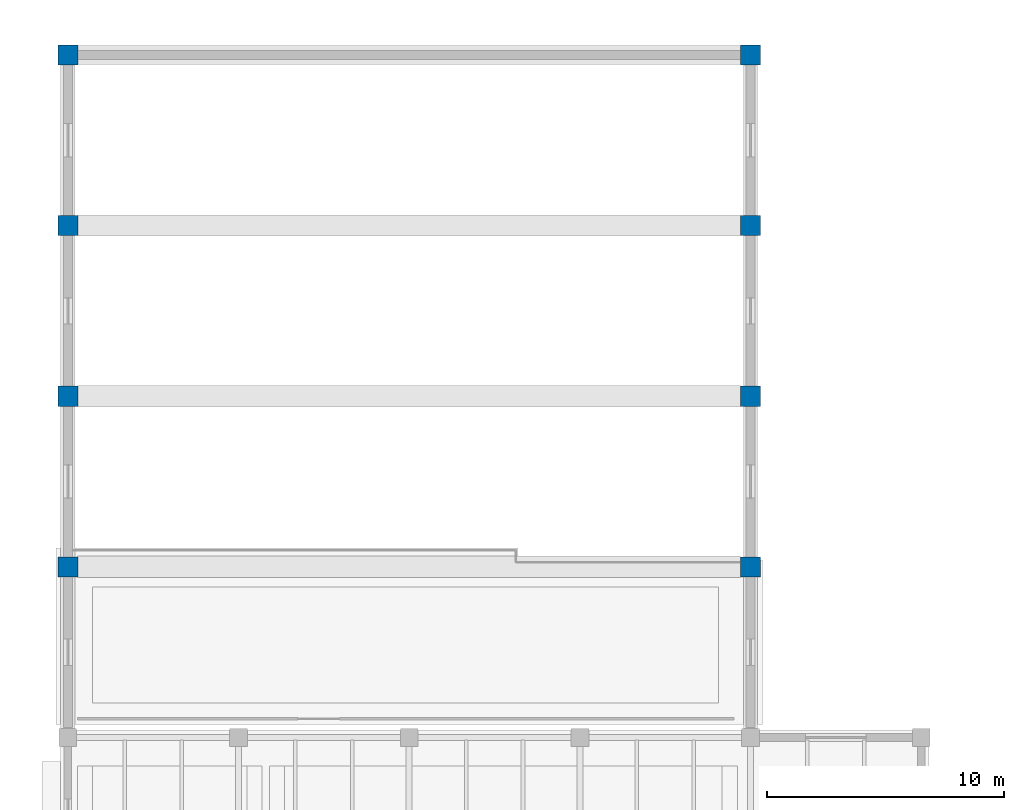
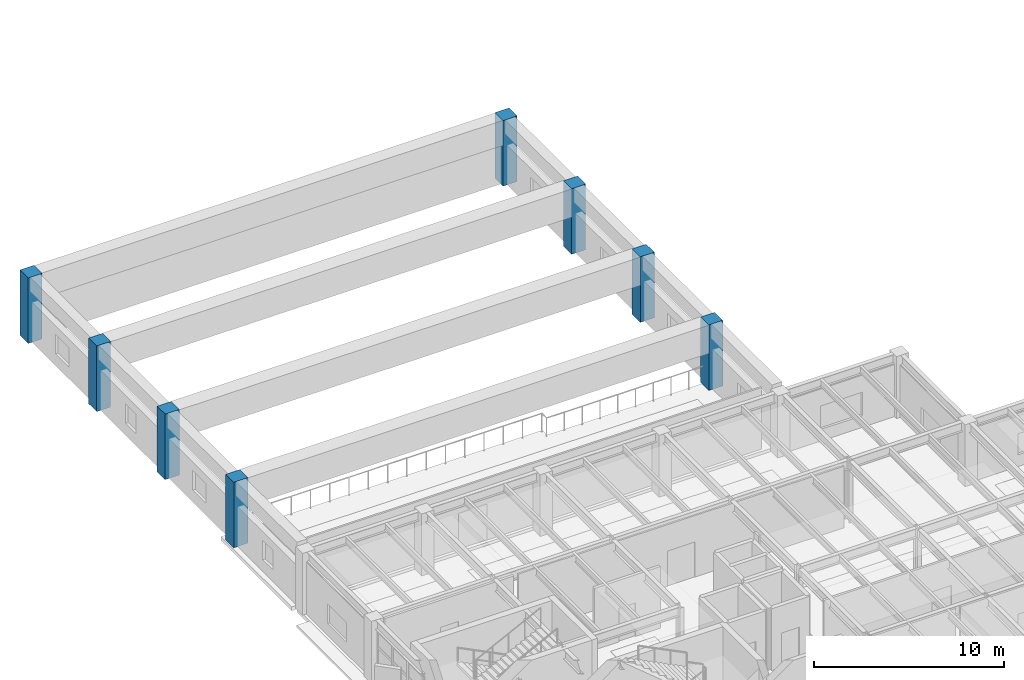
# One storey, part 4 of 37: 8 columns.
"""IFC4 building model written with IfcOpenShell, lengths in metres."""

from ifc_helpers import new_model, si_unit, direction, frame, origin, origin_2d, place, context, subcontext, project, spatial, rectangle, extrude, material, material_profile, profile_set, type_object, element, save


model = new_model("IFC4")

# Units and contexts
model_context = context("Model", 3, precision=1e-05, world=origin(), true_north=direction((0.0, 1.0)))
body_context = subcontext(model_context, "Body", "Model", "MODEL_VIEW")
ifc_project = project(units=[si_unit("LENGTHUNIT", "METRE"), si_unit("AREAUNIT", "SQUARE_METRE"), si_unit("VOLUMEUNIT", "CUBIC_METRE"), si_unit("PLANEANGLEUNIT", "RADIAN"), si_unit("MASSUNIT", "GRAM", prefix="KILO")], contexts=[model_context])

# Site, building, storey
site_placement = place(None, origin())
site = spatial("IfcSite", under=ifc_project, at=site_placement, CompositionType="ELEMENT")
building_placement = place(site_placement, origin())
building = spatial("IfcBuilding", under=site, at=building_placement, Name="Kandorven Conservatory and Botanical Research Centre", CompositionType="ELEMENT")
storey_placement = place(building_placement, frame((0.0, 0.0, 9.0)))
storey = spatial("IfcBuildingStorey", under=building, at=storey_placement, Name="L02", CompositionType="ELEMENT", Elevation=9.0)

# Columns
ifc_material = material(Name="Concrete C40/50 (M50)", Category="concrete")
ifc_material_profile = material_profile(ifc_material, rectangle(XDim=0.85009765625, YDim=0.85009765625, at=origin_2d()))
ifc_profile_set = profile_set([ifc_material_profile], Name="Concrete C40/50 (M50)")
column_type = type_object("IfcColumnType", Name="Col_TC-02", PredefinedType="COLUMN", material=ifc_profile_set)
for number, where, z_axis, x_axis, name in (
    (1, (6.0, 42.0, 0.0), (0.0, 0.0, 1.0), (1.0, 0.0, 0.0), "Auditorium portal column TC-02 L02"),
    (2, (6.0, 49.199951171875, 0.0), (0.0, 0.0, 1.0), (1.0, 0.0, 0.0), "Auditorium portal column TC-02 L02"),
    (3, (6.0, 56.39990234375, 0.0), (0.0, 0.0, 1.0), (1.0, 0.0, 0.0), "Auditorium portal column TC-02 L02"),
    (4, (6.0, 63.60009765625, 0.0), (0.0, 0.0, 1.0), (1.0, 0.0, 0.0), "Auditorium portal column TC-02 L02"),
    (5, (34.800048828125, 42.0, 0.0), (0.0, 0.0, 1.0), (1.0, 0.0, 0.0), "Auditorium portal column TC-02 L02"),
    (6, (34.800048828125, 49.199951171875, 0.0), (0.0, 0.0, 1.0), (1.0, 0.0, 0.0), "Auditorium portal column TC-02 L02"),
    (7, (34.800048828125, 56.39990234375, 0.0), (0.0, 0.0, 1.0), (1.0, 0.0, 0.0), "Auditorium portal column TC-02 L02"),
    (8, (34.800048828125, 63.60009765625, 0.0), (0.0, 0.0, 1.0), (1.0, 0.0, 0.0), "Auditorium portal column TC-02 L02"),
):
    element("IfcColumn", number, at=place(storey_placement, frame(where, z_axis=z_axis, x_axis=x_axis)), inside=storey, type_object=column_type, Name=name, PredefinedType="COLUMN", context=body_context, shape_type="SweptSolid", body=[
        extrude(rectangle(XDim=0.85009765625, YDim=0.85009765625, at=origin_2d()), origin(), (0.0, 0.0, 1.0), 4.199951171875),
    ])

save(model, "model.ifc")
